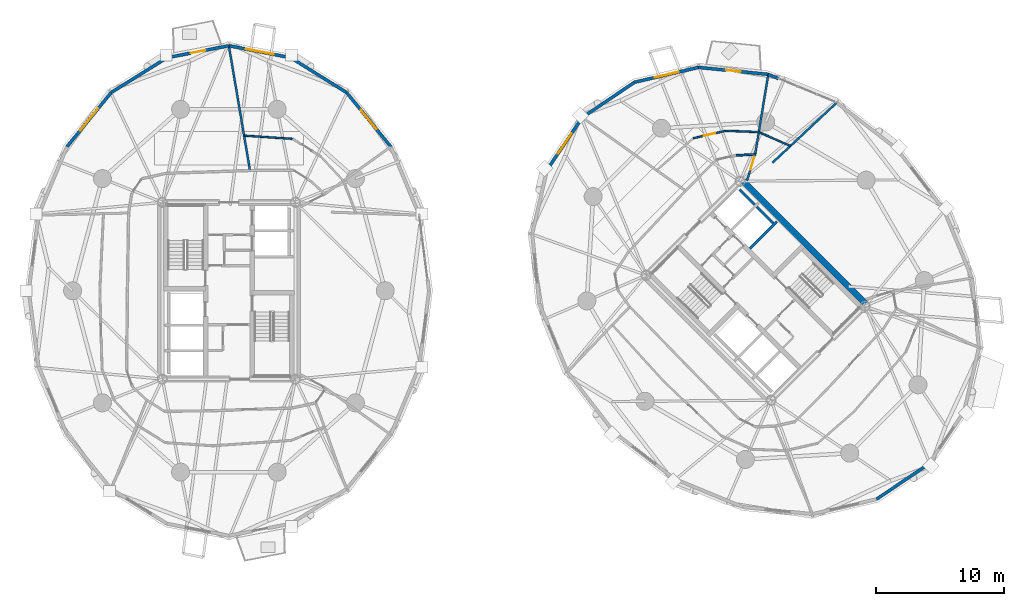
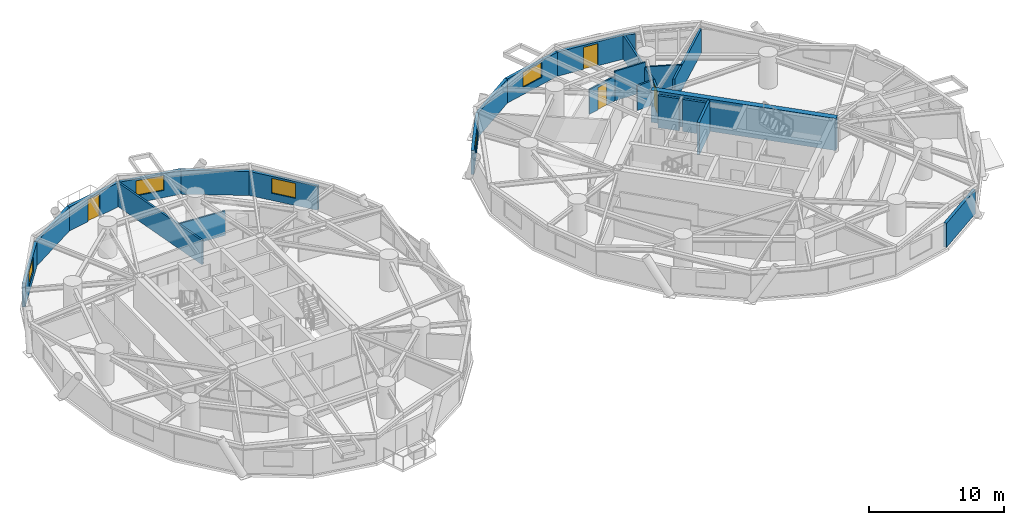
# One storey, part 14 of 18: 25 walls, 5 windows, 4 doors, 9 openings.
"""IFC4 building model written with IfcOpenShell, lengths in metres."""

from ifc_helpers import new_model, si_unit, direction, frame, frame_2d, origin, place, context, subcontext, project, spatial, rectangle, extrude, source, transform, mapped, material, layer, layer_set, type_object, element, fill, save


model = new_model("IFC4")

# Units and contexts
model_context = context("Model", 3, precision=1e-05, world=origin(), true_north=direction((0.0, 1.0)))
body_context = subcontext(model_context, "Body", "Model", "MODEL_VIEW")
ifc_project = project(units=[si_unit("LENGTHUNIT", "METRE"), si_unit("AREAUNIT", "SQUARE_METRE"), si_unit("VOLUMEUNIT", "CUBIC_METRE"), si_unit("PLANEANGLEUNIT", "RADIAN"), si_unit("MASSUNIT", "GRAM", prefix="KILO")], contexts=[model_context])

# Site, building, storey
site_placement = place(None, origin())
site = spatial("IfcSite", under=ifc_project, at=site_placement, CompositionType="ELEMENT")
building_placement = place(site_placement, origin())
building = spatial("IfcBuilding", under=site, at=building_placement, Name="Cununo Teusaquillo Station Towers", CompositionType="ELEMENT")
storey_placement = place(building_placement, frame((0.0, 0.0, 110.889892578125)))
storey = spatial("IfcBuildingStorey", under=building, at=storey_placement, Name="L35", CompositionType="ELEMENT", Elevation=110.889892578125)

# Walls
ifc_material_1 = material(Name="Concrete C50/60", Category="concrete")
ifc_layer_1 = layer(ifc_material_1, 0.199951171875)
ifc_layer_set_1 = layer_set([ifc_layer_1], Name="Concrete C50/60")
wall_type_1 = type_object("IfcWallType", Name="WL-CORE-200", PredefinedType="SHEAR", material=ifc_layer_set_1)
wall_1_placement = place(storey_placement, frame((57.0615234375, 27.781005859375, 0.0), z_axis=(0.0, 0.0, 1.0), x_axis=(0.707106781187, 0.707106781187, 0.0)))
element("IfcWall", 1, at=wall_1_placement, inside=storey, type_object=wall_type_1, Name="L35 Tower B Low-Rise Lift Hoistway South Shear Wall", PredefinedType="SHEAR", context=body_context, shape_type="SweptSolid", body=[
    extrude(rectangle(XDim=2.969970703125, YDim=0.199951171875, at=frame_2d((1.48486328125, 0.0))), origin(), (0.0, 0.0, 1.0), 2.91015625),
])
wall_2_placement = place(storey_placement, frame((58.86474609375, 29.75390625, 0.0), z_axis=(0.0, 0.0, 1.0), x_axis=(-0.707174411312, 0.707039144592, 0.0)))
element("IfcWall", 2, at=wall_2_placement, inside=storey, type_object=wall_type_1, Name="L35 Tower B Low-Rise Lift 1 Shaft Rear Shear Wall", PredefinedType="SHEAR", context=body_context, shape_type="SweptSolid", body=[
    extrude(rectangle(XDim=1.804931640625, YDim=0.199951171875, at=frame_2d((0.90234375, 0.0))), origin(), (0.0, 0.0, 1.0), 2.91015625),
])
wall_3_placement = place(storey_placement, frame((57.418701171875, 31.19970703125, 0.0), z_axis=(0.0, 0.0, 1.0), x_axis=(-0.707032117043, 0.707181437447, 0.0)))
element("IfcWall", 3, at=wall_3_placement, inside=storey, type_object=wall_type_1, Name="L35 Tower B Low-Rise Lift 2 Shaft Rear Shear Wall", PredefinedType="SHEAR", context=body_context, shape_type="SweptSolid", body=[
    extrude(rectangle(XDim=1.635009765625, YDim=0.199951171875, at=frame_2d((0.8173828125, 0.0))), origin(), (0.0, 0.0, 1.0), 2.91015625),
])
ifc_material_2 = material(Name="Concrete C60/75", Category="concrete")
ifc_layer_2 = layer(ifc_material_2, 0.449951171875)
ifc_layer_set_2 = layer_set([ifc_layer_2], Name="Concrete C60/75")
wall_type_2 = type_object("IfcWallType", Name="WL-CORE-450", PredefinedType="SHEAR", material=ifc_layer_set_2)
wall_4_placement = place(storey_placement, frame((66.303466796875, 23.2626953125, 0.0), z_axis=(0.0, 0.0, 1.0), x_axis=(-0.707106781187, 0.707106781187, 0.0)))
element("IfcWall", 4, at=wall_4_placement, inside=storey, type_object=wall_type_2, Name="L35 Tower B Core Shear Wall E", PredefinedType="SHEAR", context=body_context, shape_type="SweptSolid", body=[
    extrude(rectangle(XDim=14.19970703125, YDim=0.449951171875, at=frame_2d((7.099853515625, 0.0))), origin(), (0.0, 0.0, 1.0), 2.91015625),
])

# Wall, opening, window
ifc_material_3 = material(Name="Precast concrete C40/50", Category="concrete")
ifc_layer_3 = layer(ifc_material_3, 0.239990234375)
ifc_layer_set_3 = layer_set([ifc_layer_3], Name="Precast concrete C40/50")
wall_type_3 = type_object("IfcWallType", Name="WL-EXT-240", PredefinedType="SOLIDWALL", material=ifc_layer_set_3)
wall_5_placement = place(storey_placement, frame((25.658203125, 39.927978515625, 0.0), z_axis=(0.0, 0.0, 1.0), x_axis=(0.632700781152, -0.77439635945, 0.0)))
wall_5 = element("IfcWall", 5, at=wall_5_placement, inside=storey, type_object=wall_type_3, Name="L35 Tower A Exterior Facade Wall C02", PredefinedType="SOLIDWALL", context=body_context, shape_type="SweptSolid", body=[
    extrude(rectangle(XDim=5.447998046875, YDim=0.239990234375, at=frame_2d((2.72412109375, 0.0))), origin(), (0.0, 0.0, 1.0), 2.17919921875),
])
shared_shape_1 = source(origin(), body_context, "Body", "SweptSolid", [
    extrude(rectangle(XDim=1.89990234375, YDim=1.35009765625, at=frame_2d((0.949951171875, 0.675048828125))), frame((0.0, 0.1298828125, 0.0), z_axis=(0.0, -1.0, 0.0), x_axis=(1.0, 0.0, 0.0)), (0.0, 0.0, 1.0), 0.260009765625),
])
opening_1_placement = place(wall_5_placement, frame((1.77392578125, 0.0, 0.64990234375)))
opening_1 = element("IfcOpeningElement", 6, at=opening_1_placement, cuts=wall_5, Name="Opening WN-02", PredefinedType="OPENING", context=body_context, shape_type="MappedRepresentation", body=[
    mapped(shared_shape_1, transform((0.0, 0.0, 0.0), x_axis=(1.0, 0.0, 0.0), y_axis=(0.0, 1.0, 0.0), z_axis=(0.0, 0.0, 1.0), scale=1.0)),
])
ifc_material_4 = material(Name="Operable acoustic tinted low-E double glazing", Category="glass")
window_type_1 = type_object("IfcWindowType", Name="WIN-OPER-1900", PartitioningType="DOUBLE_PANEL_VERTICAL", PredefinedType="WINDOW", material=ifc_material_4)
shared_shape_2 = source(origin(), body_context, "Body", "SweptSolid", [
    extrude(rectangle(XDim=1.89990234375, YDim=1.35009765625, at=frame_2d((0.949951171875, 0.675048828125))), frame((0.0, 0.030029296875, 0.0), z_axis=(0.0, -1.0, 0.0), x_axis=(1.0, 0.0, 0.0)), (0.0, 0.0, 1.0), 0.06005859375),
])
window_1_placement = place(opening_1_placement, origin())
window_1 = element("IfcWindow", 7, at=window_1_placement, inside=storey, type_object=window_type_1, Name="L35 Tower A Facade Window C02", OverallHeight=1.35009765625, OverallWidth=1.89990234375, PartitioningType="DOUBLE_PANEL_VERTICAL", PredefinedType="WINDOW", context=body_context, shape_type="MappedRepresentation", body=[
    mapped(shared_shape_2, transform((0.0, 0.0, 0.0), x_axis=(1.0, 0.0, 0.0), y_axis=(0.0, 1.0, 0.0), z_axis=(0.0, 0.0, 1.0), scale=1.0)),
])
fill(opening_1, window_1)

# Wall
wall_6_placement = place(storey_placement, frame((21.314697265625, 42.63671875, 0.0), z_axis=(0.0, 0.0, 1.0), x_axis=(0.848520380187, -0.529162701263, 0.0)))
element("IfcWall", 8, at=wall_6_placement, inside=storey, type_object=wall_type_3, Name="L35 Tower A Exterior Facade Wall C03", PredefinedType="SOLIDWALL", context=body_context, shape_type="SweptSolid", body=[
    extrude(rectangle(XDim=5.118896484375, YDim=0.239990234375, at=frame_2d((2.5595703125, 0.0))), origin(), (0.0, 0.0, 1.0), 2.17919921875),
])

# Wall, opening, window
wall_7_placement = place(storey_placement, frame((16.5, 43.570068359375, 0.0), z_axis=(0.0, 0.0, 1.0), x_axis=(0.981723785992, -0.190311344954, 0.0)))
wall_7 = element("IfcWall", 9, at=wall_7_placement, inside=storey, type_object=wall_type_3, Name="L35 Tower A Exterior Facade Wall C04", PredefinedType="SOLIDWALL", context=body_context, shape_type="SweptSolid", body=[
    extrude(rectangle(XDim=4.904296875, YDim=0.239990234375, at=frame_2d((2.4521484375, 0.0))), origin(), (0.0, 0.0, 1.0), 2.17919921875),
])
shared_shape_3 = source(origin(), body_context, "Body", "SweptSolid", [
    extrude(rectangle(XDim=2.199951171875, YDim=1.35009765625, at=frame_2d((1.10009765625, 0.675048828125))), frame((0.0, 0.1298828125, 0.0), z_axis=(0.0, -1.0, 0.0), x_axis=(1.0, 0.0, 0.0)), (0.0, 0.0, 1.0), 0.260009765625),
])
opening_2_placement = place(wall_7_placement, frame((1.35205078125, 0.0, 0.64990234375)))
opening_2 = element("IfcOpeningElement", 10, at=opening_2_placement, cuts=wall_7, Name="Opening WN-01", PredefinedType="OPENING", context=body_context, shape_type="MappedRepresentation", body=[
    mapped(shared_shape_3, transform((0.0, 0.0, 0.0), x_axis=(1.0, 0.0, 0.0), y_axis=(0.0, 1.0, 0.0), z_axis=(0.0, 0.0, 1.0), scale=1.0)),
])
ifc_material_5 = material(Name="Ceramic-fritted dark low-E double glazing", Category="glass")
window_type_2 = type_object("IfcWindowType", Name="WIN-FRIT-2200", PartitioningType="DOUBLE_PANEL_VERTICAL", PredefinedType="WINDOW", material=ifc_material_5)
shared_shape_4 = source(origin(), body_context, "Body", "SweptSolid", [
    extrude(rectangle(XDim=2.199951171875, YDim=1.35009765625, at=frame_2d((1.10009765625, 0.675048828125))), frame((0.0, 0.030029296875, 0.0), z_axis=(0.0, -1.0, 0.0), x_axis=(1.0, 0.0, 0.0)), (0.0, 0.0, 1.0), 0.06005859375),
])
window_2_placement = place(opening_2_placement, origin())
window_2 = element("IfcWindow", 11, at=window_2_placement, inside=storey, type_object=window_type_2, Name="L35 Tower A Facade Window C04", OverallHeight=1.35009765625, OverallWidth=2.199951171875, PartitioningType="DOUBLE_PANEL_VERTICAL", PredefinedType="WINDOW", context=body_context, shape_type="MappedRepresentation", body=[
    mapped(shared_shape_4, transform((0.0, 0.0, 0.0), x_axis=(1.0, 0.0, 0.0), y_axis=(0.0, 1.0, 0.0), z_axis=(0.0, 0.0, 1.0), scale=1.0)),
])
fill(opening_2, window_2)

# Wall, opening, door
wall_8_placement = place(storey_placement, frame((11.685302734375, 42.63671875, 0.0), z_axis=(0.0, 0.0, 1.0), x_axis=(0.981723785992, 0.190311344954, 0.0)))
wall_8 = element("IfcWall", 12, at=wall_8_placement, inside=storey, type_object=wall_type_3, Name="L35 Tower A Exterior Facade Wall C05", PredefinedType="SOLIDWALL", context=body_context, shape_type="SweptSolid", body=[
    extrude(rectangle(XDim=4.904296875, YDim=0.239990234375, at=frame_2d((2.4521484375, 0.0))), origin(), (0.0, 0.0, 1.0), 2.17919921875),
])
shared_shape_5 = source(origin(), body_context, "Body", "SweptSolid", [
    extrude(rectangle(XDim=1.14990234375, YDim=2.0048828125, at=frame_2d((0.574951171875, 1.00244140625))), frame((0.0, 0.1298828125, 0.0), z_axis=(0.0, -1.0, 0.0), x_axis=(1.0, 0.0, 0.0)), (0.0, 0.0, 1.0), 0.260009765625),
])
opening_3_placement = place(wall_8_placement, frame((1.876953125, 0.0, 0.0)))
opening_3 = element("IfcOpeningElement", 13, at=opening_3_placement, cuts=wall_8, Name="Opening ED-03", PredefinedType="OPENING", context=body_context, shape_type="MappedRepresentation", body=[
    mapped(shared_shape_5, transform((0.0, 0.0, 0.0), x_axis=(1.0, 0.0, 0.0), y_axis=(0.0, 1.0, 0.0), z_axis=(0.0, 0.0, 1.0), scale=1.0)),
])
ifc_material_6 = material(Name="Anodised dark bronze aluminium EN AW-6063-T6", Category="aluminium")
door_type_1 = type_object("IfcDoorType", Name="DR-EXT-BAL", OperationType="NOTDEFINED", PredefinedType="DOOR", material=ifc_material_6)
shared_shape_6 = source(origin(), body_context, "Body", "SweptSolid", [
    extrude(rectangle(XDim=1.14990234375, YDim=2.0048828125, at=frame_2d((0.574951171875, 1.00244140625))), frame((0.0, 0.02490234375, 0.0), z_axis=(0.0, -1.0, 0.0), x_axis=(1.0, 0.0, 0.0)), (0.0, 0.0, 1.0), 0.050048828125),
])
door_1_placement = place(opening_3_placement, origin())
door_1 = element("IfcDoor", 14, at=door_1_placement, inside=storey, type_object=door_type_1, Name="L35 Tower A Tree Balcony Door C05", OperationType="SINGLE_SWING_LEFT", OverallHeight=2.0048828125, OverallWidth=1.14990234375, PredefinedType="DOOR", context=body_context, shape_type="MappedRepresentation", body=[
    mapped(shared_shape_6, transform((0.0, 0.0, 0.0), x_axis=(1.0, 0.0, 0.0), y_axis=(0.0, 1.0, 0.0), z_axis=(0.0, 0.0, 1.0), scale=1.0)),
])
fill(opening_3, door_1)

# Wall
wall_9_placement = place(storey_placement, frame((7.341796875, 39.927978515625, 0.0), z_axis=(0.0, 0.0, 1.0), x_axis=(0.848520380187, 0.529162701263, 0.0)))
element("IfcWall", 15, at=wall_9_placement, inside=storey, type_object=wall_type_3, Name="L35 Tower A Exterior Facade Wall C06", PredefinedType="SOLIDWALL", context=body_context, shape_type="SweptSolid", body=[
    extrude(rectangle(XDim=5.118896484375, YDim=0.239990234375, at=frame_2d((2.5595703125, 0.0))), origin(), (0.0, 0.0, 1.0), 2.17919921875),
])

# Wall, opening, window
wall_10_placement = place(storey_placement, frame((3.894775390625, 35.708984375, 0.0), z_axis=(0.0, 0.0, 1.0), x_axis=(0.632700781152, 0.77439635945, 0.0)))
wall_10 = element("IfcWall", 16, at=wall_10_placement, inside=storey, type_object=wall_type_3, Name="L35 Tower A Exterior Facade Wall C07", PredefinedType="SOLIDWALL", context=body_context, shape_type="SweptSolid", body=[
    extrude(rectangle(XDim=5.447998046875, YDim=0.239990234375, at=frame_2d((2.72412109375, 0.0))), origin(), (0.0, 0.0, 1.0), 2.17919921875),
])
opening_4_placement = place(wall_10_placement, frame((1.6240234375, 0.0, 0.64990234375)))
opening_4 = element("IfcOpeningElement", 17, at=opening_4_placement, cuts=wall_10, Name="Opening WN-01", PredefinedType="OPENING", context=body_context, shape_type="MappedRepresentation", body=[
    mapped(shared_shape_3, transform((0.0, 0.0, 0.0), x_axis=(1.0, 0.0, 0.0), y_axis=(0.0, 1.0, 0.0), z_axis=(0.0, 0.0, 1.0), scale=1.0)),
])
window_3_placement = place(opening_4_placement, origin())
window_3 = element("IfcWindow", 18, at=window_3_placement, inside=storey, type_object=window_type_2, Name="L35 Tower A Facade Window C07", OverallHeight=1.35009765625, OverallWidth=2.199951171875, PartitioningType="DOUBLE_PANEL_VERTICAL", PredefinedType="WINDOW", context=body_context, shape_type="MappedRepresentation", body=[
    mapped(shared_shape_4, transform((0.0, 0.0, 0.0), x_axis=(1.0, 0.0, 0.0), y_axis=(0.0, 1.0, 0.0), z_axis=(0.0, 0.0, 1.0), scale=1.0)),
])
fill(opening_4, window_3)

# Wall
wall_11_placement = place(storey_placement, frame((58.4873046875, 41.33935546875, 0.0), z_axis=(0.0, 0.0, 1.0), x_axis=(0.924556017656, -0.381046152345, 0.0)))
element("IfcWall", 19, at=wall_11_placement, inside=storey, type_object=wall_type_3, Name="L35 Tower B Column Pier Cladding Wall C01-PA", PredefinedType="SOLIDWALL", context=body_context, shape_type="SweptSolid", body=[
    extrude(rectangle(XDim=0.8701171875, YDim=0.239990234375, at=frame_2d((0.43505859375, 0.0))), origin(), (0.0, 0.0, 1.0), 2.17919921875),
])

# Wall, opening, door
wall_12_placement = place(storey_placement, frame((53.066650390625, 41.885009765625, 0.0), z_axis=(0.0, 0.0, 1.0), x_axis=(0.994971754311, -0.10015591906, 0.0)))
wall_12 = element("IfcWall", 20, at=wall_12_placement, inside=storey, type_object=wall_type_3, Name="L35 Tower B Exterior Facade Wall C02", PredefinedType="SOLIDWALL", context=body_context, shape_type="SweptSolid", body=[
    extrude(rectangle(XDim=5.447998046875, YDim=0.239990234375, at=frame_2d((2.72412109375, 0.0))), origin(), (0.0, 0.0, 1.0), 2.17919921875),
])
opening_5_placement = place(wall_12_placement, frame((2.14892578125, 0.0, 0.0)))
opening_5 = element("IfcOpeningElement", 21, at=opening_5_placement, cuts=wall_12, Name="Opening ED-03", PredefinedType="OPENING", context=body_context, shape_type="MappedRepresentation", body=[
    mapped(shared_shape_5, transform((0.0, 0.0, 0.0), x_axis=(1.0, 0.0, 0.0), y_axis=(0.0, 1.0, 0.0), z_axis=(0.0, 0.0, 1.0), scale=1.0)),
])
door_2_placement = place(opening_5_placement, origin())
door_2 = element("IfcDoor", 22, at=door_2_placement, inside=storey, type_object=door_type_1, Name="L35 Tower B Tree Balcony Door C02", OperationType="SINGLE_SWING_LEFT", OverallHeight=2.0048828125, OverallWidth=1.14990234375, PredefinedType="DOOR", context=body_context, shape_type="MappedRepresentation", body=[
    mapped(shared_shape_6, transform((0.0, 0.0, 0.0), x_axis=(1.0, 0.0, 0.0), y_axis=(0.0, 1.0, 0.0), z_axis=(0.0, 0.0, 1.0), scale=1.0)),
])
fill(opening_5, door_2)

# Wall, opening, window
wall_13_placement = place(storey_placement, frame((48.080078125, 40.72900390625, 0.0), z_axis=(0.0, 0.0, 1.0), x_axis=(0.974165631126, 0.225834725257, 0.0)))
wall_13 = element("IfcWall", 23, at=wall_13_placement, inside=storey, type_object=wall_type_3, Name="L35 Tower B Exterior Facade Wall C03", PredefinedType="SOLIDWALL", context=body_context, shape_type="SweptSolid", body=[
    extrude(rectangle(XDim=5.118896484375, YDim=0.239990234375, at=frame_2d((2.5595703125, 0.0))), origin(), (0.0, 0.0, 1.0), 2.17919921875),
])
opening_6_placement = place(wall_13_placement, frame((1.60888671875, 0.0, 0.64990234375)))
opening_6 = element("IfcOpeningElement", 24, at=opening_6_placement, cuts=wall_13, Name="Opening WN-02", PredefinedType="OPENING", context=body_context, shape_type="MappedRepresentation", body=[
    mapped(shared_shape_1, transform((0.0, 0.0, 0.0), x_axis=(1.0, 0.0, 0.0), y_axis=(0.0, 1.0, 0.0), z_axis=(0.0, 0.0, 1.0), scale=1.0)),
])
window_4_placement = place(opening_6_placement, origin())
window_4 = element("IfcWindow", 25, at=window_4_placement, inside=storey, type_object=window_type_1, Name="L35 Tower B Facade Window C03", OverallHeight=1.35009765625, OverallWidth=1.89990234375, PartitioningType="DOUBLE_PANEL_VERTICAL", PredefinedType="WINDOW", context=body_context, shape_type="MappedRepresentation", body=[
    mapped(shared_shape_2, transform((0.0, 0.0, 0.0), x_axis=(1.0, 0.0, 0.0), y_axis=(0.0, 1.0, 0.0), z_axis=(0.0, 0.0, 1.0), scale=1.0)),
])
fill(opening_6, window_4)

# Wall
wall_14_placement = place(storey_placement, frame((44.015380859375, 37.984619140625, 0.0), z_axis=(0.0, 0.0, 1.0), x_axis=(0.828781148131, 0.559572880421, 0.0)))
element("IfcWall", 26, at=wall_14_placement, inside=storey, type_object=wall_type_3, Name="L35 Tower B Exterior Facade Wall C04", PredefinedType="SOLIDWALL", context=body_context, shape_type="SweptSolid", body=[
    extrude(rectangle(XDim=4.904541015625, YDim=0.239990234375, at=frame_2d((2.4521484375, 0.0))), origin(), (0.0, 0.0, 1.0), 2.17919921875),
])

# Wall, opening, window
wall_15_placement = place(storey_placement, frame((41.27099609375, 33.919921875, 0.0), z_axis=(0.0, 0.0, 1.0), x_axis=(0.559572880421, 0.828781148131, 0.0)))
wall_15 = element("IfcWall", 27, at=wall_15_placement, inside=storey, type_object=wall_type_3, Name="L35 Tower B Exterior Facade Wall C05", PredefinedType="SOLIDWALL", context=body_context, shape_type="SweptSolid", body=[
    extrude(rectangle(XDim=4.904541015625, YDim=0.239990234375, at=frame_2d((2.4521484375, 0.0))), origin(), (0.0, 0.0, 1.0), 2.17919921875),
])
opening_7_placement = place(wall_15_placement, frame((1.501953125, 0.0, 0.64990234375)))
opening_7 = element("IfcOpeningElement", 28, at=opening_7_placement, cuts=wall_15, Name="Opening WN-02", PredefinedType="OPENING", context=body_context, shape_type="MappedRepresentation", body=[
    mapped(shared_shape_1, transform((0.0, 0.0, 0.0), x_axis=(1.0, 0.0, 0.0), y_axis=(0.0, 1.0, 0.0), z_axis=(0.0, 0.0, 1.0), scale=1.0)),
])
window_5_placement = place(opening_7_placement, origin())
window_5 = element("IfcWindow", 29, at=window_5_placement, inside=storey, type_object=window_type_1, Name="L35 Tower B Facade Window C05", OverallHeight=1.35009765625, OverallWidth=1.89990234375, PartitioningType="DOUBLE_PANEL_VERTICAL", PredefinedType="WINDOW", context=body_context, shape_type="MappedRepresentation", body=[
    mapped(shared_shape_2, transform((0.0, 0.0, 0.0), x_axis=(1.0, 0.0, 0.0), y_axis=(0.0, 1.0, 0.0), z_axis=(0.0, 0.0, 1.0), scale=1.0)),
])
fill(opening_7, window_5)

# Walls
wall_16_placement = place(storey_placement, frame((70.984619140625, 11.015380859375, 0.0), z_axis=(0.0, 0.0, 1.0), x_axis=(-0.828781148131, -0.559572880421, 0.0)))
element("IfcWall", 30, at=wall_16_placement, inside=storey, type_object=wall_type_3, Name="L35 Tower B Exterior Facade Wall C14", PredefinedType="SOLIDWALL", context=body_context, shape_type="SweptSolid", body=[
    extrude(rectangle(XDim=4.904541015625, YDim=0.239990234375, at=frame_2d((2.4521484375, 0.0))), origin(), (0.0, 0.0, 1.0), 2.17919921875),
])
ifc_material_7 = material(Name="Fire-rated gypsum plasterboard partition assembly", Category="gypsum")
ifc_layer_4 = layer(ifc_material_7, 0.125)
ifc_layer_set_4 = layer_set([ifc_layer_4], Name="Fire-rated gypsum plasterboard partition assembly")
wall_type_4 = type_object("IfcWallType", Name="WL-PART-125", PredefinedType="PARTITIONING", material=ifc_layer_set_4)
wall_17_placement = place(storey_placement, frame((21.4658203125, 36.32177734375, 0.0), z_axis=(0.0, 0.0, 1.0), x_axis=(-0.997806476515, 0.066198454847, 0.0)))
element("IfcWall", 31, at=wall_17_placement, inside=storey, type_object=wall_type_4, Name="L35 Tower A Consular Reception Salon Concentric Partition Wall C04", PredefinedType="PARTITIONING", context=body_context, shape_type="SweptSolid", body=[
    extrude(rectangle(XDim=3.791259765625, YDim=0.125, at=frame_2d((1.8955078125, 0.0))), origin(), (0.0, 0.0, 1.0), 2.22509765625),
])
wall_18_placement = place(storey_placement, frame((60.208984375, 35.765625, 0.0), z_axis=(0.0, 0.0, 1.0), x_axis=(-0.914932611268, 0.403606636267, 0.0)))
element("IfcWall", 32, at=wall_18_placement, inside=storey, type_object=wall_type_4, Name="L35 Tower B Consular Reception Salon Concentric Partition Wall C01", PredefinedType="PARTITIONING", context=body_context, shape_type="SweptSolid", body=[
    extrude(rectangle(XDim=2.685791015625, YDim=0.125, at=frame_2d((1.3427734375, 0.0))), origin(), (0.0, 0.0, 1.0), 2.22509765625),
])
wall_19_placement = place(storey_placement, frame((57.751708984375, 36.849609375, 0.0), z_axis=(0.0, 0.0, 1.0), x_axis=(-0.999279468675, 0.037954492291, 0.0)))
element("IfcWall", 33, at=wall_19_placement, inside=storey, type_object=wall_type_4, Name="L35 Tower B Consular Reception Salon Concentric Partition Wall C02", PredefinedType="PARTITIONING", context=body_context, shape_type="SweptSolid", body=[
    extrude(rectangle(XDim=2.5859375, YDim=0.125, at=frame_2d((1.29296875, 0.0))), origin(), (0.0, 0.0, 1.0), 2.655029296875),
])

# Wall, opening, door
wall_20_placement = place(storey_placement, frame((55.167724609375, 36.94775390625, 0.0), z_axis=(0.0, 0.0, 1.0), x_axis=(-0.974677367116, -0.223615808993, 0.0)))
wall_20 = element("IfcWall", 34, at=wall_20_placement, inside=storey, type_object=wall_type_4, Name="L35 Tower B Consular Reception Salon Concentric Partition Wall C03", PredefinedType="PARTITIONING", context=body_context, shape_type="SweptSolid", body=[
    extrude(rectangle(XDim=2.5810546875, YDim=0.125, at=frame_2d((1.29052734375, 0.0))), origin(), (0.0, 0.0, 1.0), 2.22509765625),
])
shared_shape_7 = source(origin(), body_context, "Body", "SweptSolid", [
    extrude(rectangle(XDim=0.89990234375, YDim=2.0048828125, at=frame_2d((0.449951171875, 1.00244140625))), frame((0.0, 0.072509765625, 0.0), z_axis=(0.0, -1.0, 0.0), x_axis=(1.0, 0.0, 0.0)), (0.0, 0.0, 1.0), 0.14501953125),
])
opening_8_placement = place(wall_20_placement, frame((0.840576171875, 0.0, 0.0)))
opening_8 = element("IfcOpeningElement", 35, at=opening_8_placement, cuts=wall_20, Name="Opening D-IN1", PredefinedType="OPENING", context=body_context, shape_type="MappedRepresentation", body=[
    mapped(shared_shape_7, transform((0.0, 0.0, 0.0), x_axis=(1.0, 0.0, 0.0), y_axis=(0.0, 1.0, 0.0), z_axis=(0.0, 0.0, 1.0), scale=1.0)),
])
ifc_material_8 = material(Name="Acoustic solid-core hardwood leaf assembly", Category="wood")
door_type_2 = type_object("IfcDoorType", Name="DR-INT-900", OperationType="NOTDEFINED", PredefinedType="DOOR", material=ifc_material_8)
shared_shape_8 = source(origin(), body_context, "Body", "SweptSolid", [
    extrude(rectangle(XDim=0.89990234375, YDim=2.0048828125, at=frame_2d((0.449951171875, 1.00244140625))), frame((0.0, 0.02490234375, 0.0), z_axis=(0.0, -1.0, 0.0), x_axis=(1.0, 0.0, 0.0)), (0.0, 0.0, 1.0), 0.050048828125),
])
door_3_placement = place(opening_8_placement, origin())
door_3 = element("IfcDoor", 36, at=door_3_placement, inside=storey, type_object=door_type_2, Name="L35 Tower B Consular Reception Salon Connecting Door", OperationType="SINGLE_SWING_LEFT", OverallHeight=2.0048828125, OverallWidth=0.89990234375, PredefinedType="DOOR", context=body_context, shape_type="MappedRepresentation", body=[
    mapped(shared_shape_8, transform((0.0, 0.0, 0.0), x_axis=(1.0, 0.0, 0.0), y_axis=(0.0, 1.0, 0.0), z_axis=(0.0, 0.0, 1.0), scale=1.0)),
])
fill(opening_8, door_3)

# Walls
ifc_material_9 = material(Name="Fire-rated gypsum plasterboard partition assembly", Category="gypsum")
ifc_layer_5 = layer(ifc_material_9, 0.14990234375)
ifc_layer_set_5 = layer_set([ifc_layer_5], Name="Fire-rated gypsum plasterboard partition assembly")
wall_type_5 = type_object("IfcWallType", Name="WL-PART-150", PredefinedType="PARTITIONING", material=ifc_layer_set_5)
wall_21_placement = place(storey_placement, frame((57.466796875, 35.111328125, 0.0), z_axis=(0.0, 0.0, 1.0), x_axis=(-0.998691757323, -0.051134859488, 0.0)))
element("IfcWall", 37, at=wall_21_placement, inside=storey, type_object=wall_type_5, Name="L35 Tower B Corridor Ring Wall C02", PredefinedType="PARTITIONING", context=body_context, shape_type="SweptSolid", body=[
    extrude(rectangle(XDim=1.48486328125, YDim=0.14990234375, at=frame_2d((0.742431640625, 0.0))), origin(), (0.0, 0.0, 1.0), 2.22509765625),
])
ifc_material_10 = material(Name="Fire-rated gypsum plasterboard partition assembly", Category="gypsum")
ifc_layer_6 = layer(ifc_material_10, 0.159912109375)
ifc_layer_set_6 = layer_set([ifc_layer_6], Name="Fire-rated gypsum plasterboard partition assembly")
wall_type_6 = type_object("IfcWallType", Name="WL-PART-160", PredefinedType="PARTITIONING", material=ifc_layer_set_6)
wall_22_placement = place(storey_placement, frame((18.142822265625, 33.859619140625, 0.0), z_axis=(0.0, 0.0, 1.0), x_axis=(-0.167145472003, 0.985932244725, 0.0)))
element("IfcWall", 38, at=wall_22_placement, inside=storey, type_object=wall_type_6, Name="L35 Tower A Radial Suite Partition R03", PredefinedType="PARTITIONING", context=body_context, shape_type="SweptSolid", body=[
    extrude(rectangle(XDim=9.82861328125, YDim=0.159912109375, at=frame_2d((4.914306640625, 0.0))), origin(), (0.0, 0.0, 1.0), 2.17919921875),
])
wall_23_placement = place(storey_placement, frame((58.811767578125, 34.458251953125, 0.0), z_axis=(0.0, 0.0, 1.0), x_axis=(0.73022196979, 0.683209978584, 0.0)))
element("IfcWall", 39, at=wall_23_placement, inside=storey, type_object=wall_type_6, Name="L35 Tower B Radial Suite Partition R01", PredefinedType="PARTITIONING", context=body_context, shape_type="SweptSolid", body=[
    extrude(rectangle(XDim=6.834228515625, YDim=0.159912109375, at=frame_2d((3.4169921875, 0.0))), origin(), (0.0, 0.0, 1.0), 2.17919921875),
])
wall_24_placement = place(storey_placement, frame((57.466796875, 35.111328125, 0.0), z_axis=(0.0, 0.0, 1.0), x_axis=(0.161711214096, 0.98683812413, 0.0)))
element("IfcWall", 40, at=wall_24_placement, inside=storey, type_object=wall_type_6, Name="L35 Tower B Radial Suite Partition R02", PredefinedType="PARTITIONING", context=body_context, shape_type="SweptSolid", body=[
    extrude(rectangle(XDim=6.291015625, YDim=0.159912109375, at=frame_2d((3.1455078125, 0.0))), origin(), (0.0, 0.0, 1.0), 2.17919921875),
])

# Wall, opening, door
wall_25_placement = place(storey_placement, frame((56.828125, 33.055908203125, 0.0), z_axis=(0.0, 0.0, 1.0), x_axis=(0.296730996083, 0.954961107042, 0.0)))
wall_25 = element("IfcWall", 41, at=wall_25_placement, inside=storey, type_object=wall_type_6, Name="L35 Tower B East Salon Corridor Portal Wall NE", PredefinedType="PARTITIONING", context=body_context, shape_type="SweptSolid", body=[
    extrude(rectangle(XDim=2.15234375, YDim=0.159912109375, at=frame_2d((1.076171875, 0.0))), origin(), (0.0, 0.0, 1.0), 2.22509765625),
])
shared_shape_9 = source(origin(), body_context, "Body", "SweptSolid", [
    extrude(rectangle(XDim=1.050048828125, YDim=2.014892578125, at=frame_2d((0.52490234375, 1.00732421875))), frame((0.0, 0.08984375, 0.0), z_axis=(0.0, -1.0, 0.0), x_axis=(1.0, 0.0, 0.0)), (0.0, 0.0, 1.0), 0.179931640625),
])
opening_9_placement = place(wall_25_placement, frame((0.902099609375, 0.0, 0.0)))
opening_9 = element("IfcOpeningElement", 42, at=opening_9_placement, cuts=wall_25, Name="Opening D-SU1", PredefinedType="OPENING", context=body_context, shape_type="MappedRepresentation", body=[
    mapped(shared_shape_9, transform((0.0, 0.0, 0.0), x_axis=(1.0, 0.0, 0.0), y_axis=(0.0, 1.0, 0.0), z_axis=(0.0, 0.0, 1.0), scale=1.0)),
])
ifc_material_11 = material(Name="Acoustic solid-core hardwood leaf assembly", Category="wood")
door_type_3 = type_object("IfcDoorType", Name="DR-SUITE-1050", OperationType="NOTDEFINED", PredefinedType="DOOR", material=ifc_material_11)
shared_shape_10 = source(origin(), body_context, "Body", "SweptSolid", [
    extrude(rectangle(XDim=1.050048828125, YDim=2.014892578125, at=frame_2d((0.52490234375, 1.00732421875))), frame((0.0, 0.02490234375, 0.0), z_axis=(0.0, -1.0, 0.0), x_axis=(1.0, 0.0, 0.0)), (0.0, 0.0, 1.0), 0.050048828125),
])
door_4_placement = place(opening_9_placement, origin())
door_4 = element("IfcDoor", 43, at=door_4_placement, inside=storey, type_object=door_type_3, Name="L35 Tower B East Panorama Sky Salon Door NE", OperationType="SINGLE_SWING_RIGHT", OverallHeight=2.014892578125, OverallWidth=1.050048828125, PredefinedType="DOOR", context=body_context, shape_type="MappedRepresentation", body=[
    mapped(shared_shape_10, transform((0.0, 0.0, 0.0), x_axis=(1.0, 0.0, 0.0), y_axis=(0.0, 1.0, 0.0), z_axis=(0.0, 0.0, 1.0), scale=1.0)),
])
fill(opening_9, door_4)

save(model, "model.ifc")
